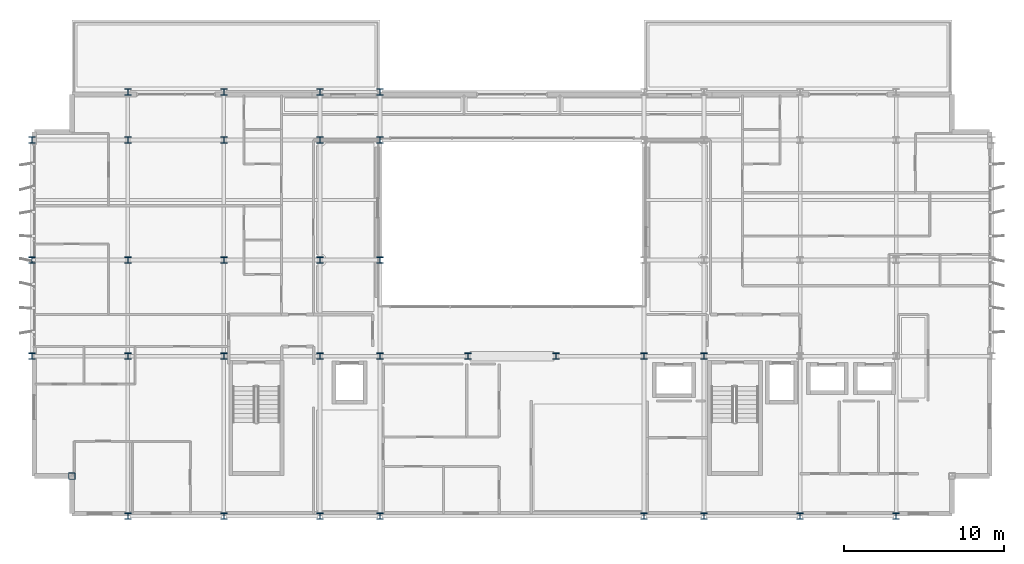
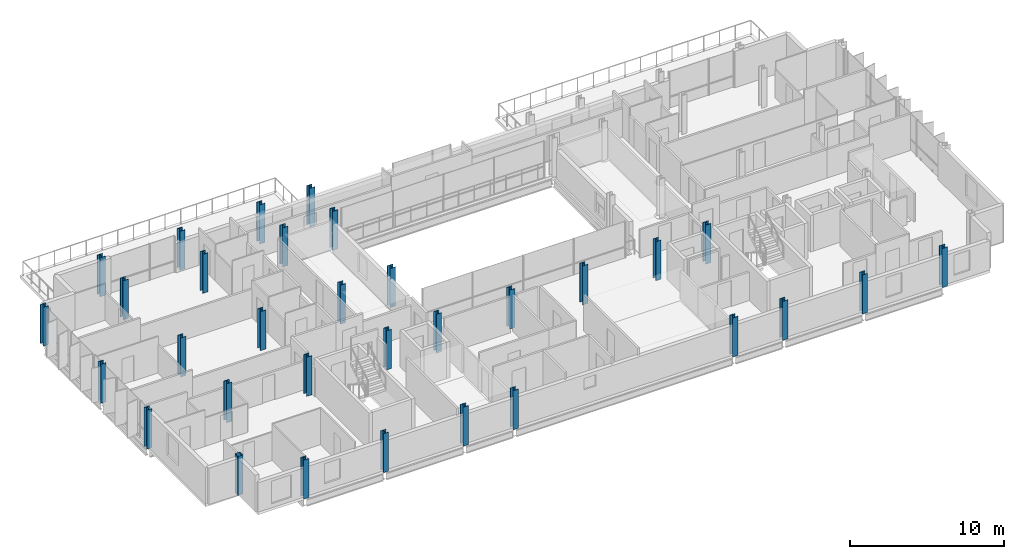
# One storey, part 1 of 38: 32 columns.
"""IFC4 building model written with IfcOpenShell, lengths in metres."""

from ifc_helpers import new_model, si_unit, direction, frame, origin, origin_2d, place, context, subcontext, project, spatial, hollow_rectangle, i_section, extrude, material, material_profile, profile_set, type_object, element, save


model = new_model("IFC4")

# Units and contexts
model_context = context("Model", 3, precision=1e-05, world=origin(), true_north=direction((0.0, 1.0)))
body_context = subcontext(model_context, "Body", "Model", "MODEL_VIEW")
ifc_project = project(units=[si_unit("LENGTHUNIT", "METRE"), si_unit("AREAUNIT", "SQUARE_METRE"), si_unit("VOLUMEUNIT", "CUBIC_METRE"), si_unit("PLANEANGLEUNIT", "RADIAN"), si_unit("MASSUNIT", "GRAM", prefix="KILO")], contexts=[model_context])

# Site, building, storey
site_placement = place(None, origin())
site = spatial("IfcSite", under=ifc_project, at=site_placement, CompositionType="ELEMENT")
building_placement = place(site_placement, origin())
building = spatial("IfcBuilding", under=site, at=building_placement, Name="Brevholm Reach", CompositionType="ELEMENT")
storey_placement = place(building_placement, frame((0.0, 0.0, 172.800048828125)))
storey = spatial("IfcBuildingStorey", under=building, at=storey_placement, Name="L52", CompositionType="ELEMENT", Elevation=172.800048828125)

# Columns
ifc_material_1 = material(Name="Structural Steel S460NH", Category="steel")
ifc_material_profile_1 = material_profile(ifc_material_1, hollow_rectangle(XDim=0.39990234375, YDim=0.39990234375, WallThickness=0.02001953125, InnerFilletRadius=0.011962890625, OuterFilletRadius=0.02392578125, at=origin_2d()), Name="SHS 400x400x20")
ifc_profile_set_1 = profile_set([ifc_material_profile_1], Name="Structural Steel S460NH")
column_type_1 = type_object("IfcColumnType", Name="COL-SHS2", PredefinedType="COLUMN", material=ifc_profile_set_1)
column_placement = place(storey_placement, frame((2.5, 2.5, 0.0), z_axis=(0.0, 0.0, 1.0), x_axis=(1.0, 0.0, 0.0)))
element("IfcColumn", 1, at=column_placement, inside=storey, type_object=column_type_1, Name="L52 Column 04", PredefinedType="COLUMN", context=body_context, shape_type="SweptSolid", body=[
    extrude(hollow_rectangle(XDim=0.39990234375, YDim=0.39990234375, WallThickness=0.02001953125, InnerFilletRadius=0.011962890625, OuterFilletRadius=0.02392578125, at=origin_2d()), origin(), (0.0, 0.0, 1.0), 3.099853515625),
])
ifc_material_2 = material(Name="Structural Steel S355J2", Category="steel")
ifc_material_profile_2 = material_profile(ifc_material_2, i_section(OverallWidth=0.39892578125, OverallDepth=0.3935546875, WebThickness=0.022705078125, FlangeThickness=0.03662109375, FilletRadius=0.01513671875, at=origin_2d()), Name="UKC 356x406x287")
ifc_profile_set_2 = profile_set([ifc_material_profile_2], Name="Structural Steel S355J2")
column_type_2 = type_object("IfcColumnType", Name="COL-UC5B", PredefinedType="COLUMN", material=ifc_profile_set_2)
for number, where, z_axis, x_axis, name in (
    (2, (0.0, 10.0, 0.0), (0.0, 0.0, 1.0), (1.0, 0.0, 0.0), "L52 Column 01"),
    (3, (0.0, 16.0, 0.0), (0.0, 0.0, 1.0), (1.0, 0.0, 0.0), "L52 Column 02"),
    (4, (0.0, 23.5, 0.0), (0.0, 0.0, 1.0), (1.0, 0.0, 0.0), "L52 Column 03"),
    (5, (6.0, 0.0, 0.0), (0.0, 0.0, 1.0), (1.0, 0.0, 0.0), "L52 Column 05"),
    (6, (6.0, 10.0, 0.0), (0.0, 0.0, 1.0), (1.0, 0.0, 0.0), "L52 Column 06"),
    (7, (6.0, 16.0, 0.0), (0.0, 0.0, 1.0), (1.0, 0.0, 0.0), "L52 Column 07"),
    (8, (6.0, 23.5, 0.0), (0.0, 0.0, 1.0), (1.0, 0.0, 0.0), "L52 Column 08"),
    (9, (6.0, 26.5, 0.0), (0.0, 0.0, 1.0), (1.0, 0.0, 0.0), "L52 Column 09"),
    (10, (12.0, 0.0, 0.0), (0.0, 0.0, 1.0), (1.0, 0.0, 0.0), "L52 Column 10"),
    (11, (12.0, 10.0, 0.0), (0.0, 0.0, 1.0), (1.0, 0.0, 0.0), "L52 Column 11"),
    (12, (12.0, 16.0, 0.0), (0.0, 0.0, 1.0), (1.0, 0.0, 0.0), "L52 Column 12"),
    (13, (12.0, 23.5, 0.0), (0.0, 0.0, 1.0), (1.0, 0.0, 0.0), "L52 Column 13"),
    (14, (12.0, 26.5, 0.0), (0.0, 0.0, 1.0), (1.0, 0.0, 0.0), "L52 Column 14"),
    (15, (18.0, 0.0, 0.0), (0.0, 0.0, 1.0), (1.0, 0.0, 0.0), "L52 Column 15"),
    (16, (18.0, 10.0, 0.0), (0.0, 0.0, 1.0), (1.0, 0.0, 0.0), "L52 Column 16"),
    (17, (18.0, 16.0, 0.0), (0.0, 0.0, 1.0), (1.0, 0.0, 0.0), "L52 Column 17"),
    (18, (18.0, 23.5, 0.0), (0.0, 0.0, 1.0), (1.0, 0.0, 0.0), "L52 Column 18"),
    (19, (18.0, 26.5, 0.0), (0.0, 0.0, 1.0), (1.0, 0.0, 0.0), "L52 Column 19"),
    (20, (21.75, 0.0, 0.0), (0.0, 0.0, 1.0), (1.0, 0.0, 0.0), "L52 Column 20"),
    (21, (21.75, 10.0, 0.0), (0.0, 0.0, 1.0), (1.0, 0.0, 0.0), "L52 Column 21"),
    (22, (21.75, 16.0, 0.0), (0.0, 0.0, 1.0), (1.0, 0.0, 0.0), "L52 Column 22"),
    (23, (21.75, 23.5, 0.0), (0.0, 0.0, 1.0), (1.0, 0.0, 0.0), "L52 Column 23"),
    (24, (21.75, 26.5, 0.0), (0.0, 0.0, 1.0), (1.0, 0.0, 0.0), "L52 Column 24"),
    (25, (27.25, 10.0, 0.0), (0.0, 0.0, 1.0), (1.0, 0.0, 0.0), "L52 Column 25"),
    (26, (32.75, 10.0, 0.0), (0.0, 0.0, 1.0), (1.0, 0.0, 0.0), "L52 Column 26"),
    (27, (38.25, 0.0, 0.0), (0.0, 0.0, 1.0), (1.0, 0.0, 0.0), "L52 Column 27"),
    (28, (38.25, 10.0, 0.0), (0.0, 0.0, 1.0), (1.0, 0.0, 0.0), "L52 Column 28"),
    (29, (42.0, 0.0, 0.0), (0.0, 0.0, 1.0), (1.0, 0.0, 0.0), "L52 Column 32"),
    (30, (42.0, 10.0, 0.0), (0.0, 0.0, 1.0), (1.0, 0.0, 0.0), "L52 Column 33"),
    (31, (48.0, 0.0, 0.0), (0.0, 0.0, 1.0), (1.0, 0.0, 0.0), "L52 Column 37"),
    (32, (54.0, 0.0, 0.0), (0.0, 0.0, 1.0), (1.0, 0.0, 0.0), "L52 Column 42"),
):
    element("IfcColumn", number, at=place(storey_placement, frame(where, z_axis=z_axis, x_axis=x_axis)), inside=storey, type_object=column_type_2, Name=name, PredefinedType="COLUMN", context=body_context, shape_type="SweptSolid", body=[
        extrude(i_section(OverallWidth=0.39892578125, OverallDepth=0.3935546875, WebThickness=0.022705078125, FlangeThickness=0.03662109375, FilletRadius=0.01513671875, at=origin_2d()), origin(), (0.0, 0.0, 1.0), 3.099853515625),
    ])

save(model, "model.ifc")
